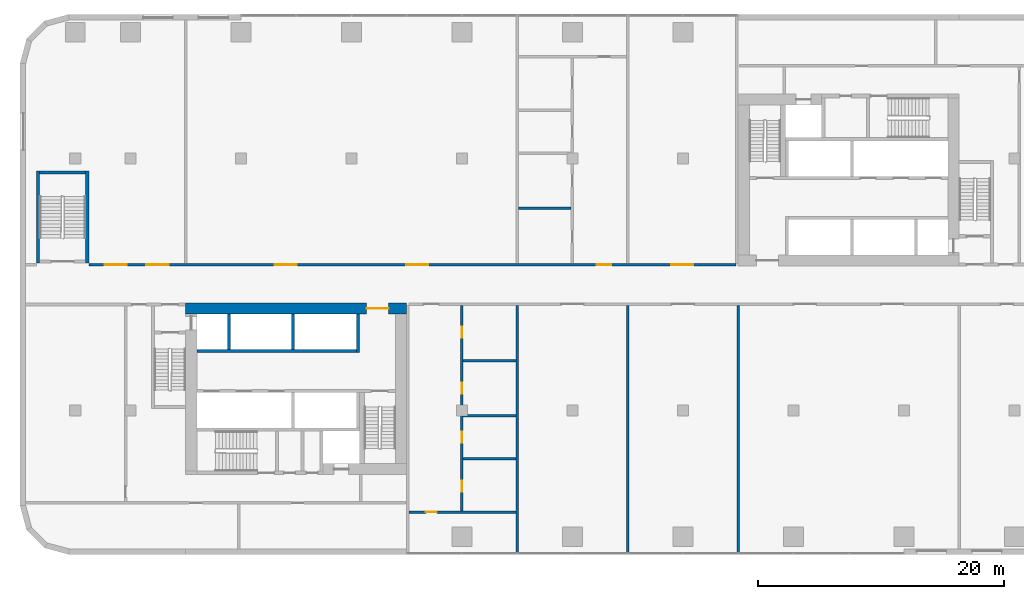
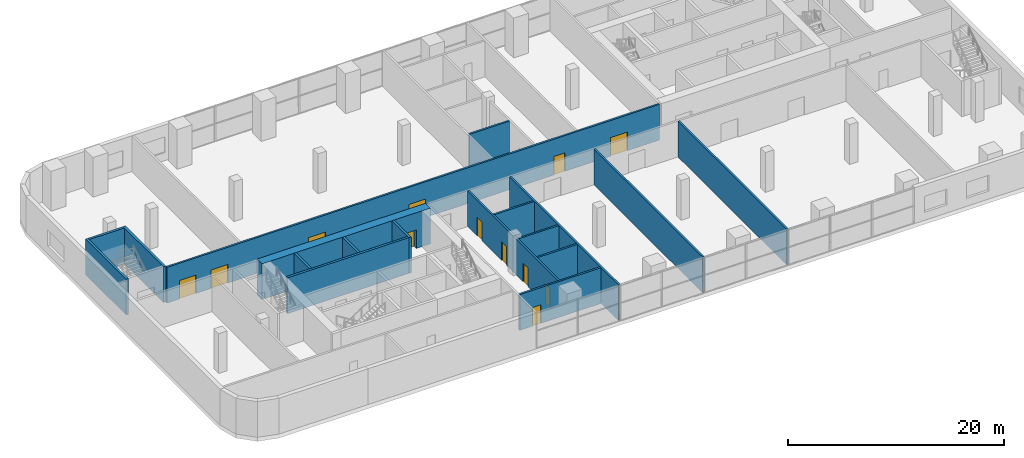
# One storey, part 8 of 19: 18 walls, 12 doors, 12 openings.
"""IFC4 building model written with IfcOpenShell, lengths in metres."""

import ifcopenshell
import ifcopenshell.guid

model = None  # the IFC model being written
_history = None  # IfcOwnerHistory: only IFC2X3 demands one
_inside = {}  # id of a spatial element -> (the spatial element, [elements in it])
_under = {}  # id of a project, library or spatial element -> (it, [spatial elements below it])
_declared = {}  # id of a project -> (the project, [libraries it declares])
_typed = {}  # id of a type object -> (the type object, [elements of that type])
_made_of = {}  # id of a material, layer set ... -> (it, [elements and type objects made of it])


def new_model(schema):
    """Start an empty IFC model of exactly this schema.

    Asked for "IFC4X3", IfcOpenShell would pick the latest addendum, in which some entities
    have other attributes; the version numbers below select the first issue.
    IFC2X3 requires an IfcOwnerHistory on every rooted entity: one is made here for all.
    """
    global model, _history
    if schema == "IFC4X3":
        model = ifcopenshell.file(schema_version=(4, 3, 0, 0))
    else:
        model = ifcopenshell.file(schema=schema)
    _inside.clear()
    _under.clear()
    _declared.clear()
    _typed.clear()
    _made_of.clear()
    _history = None
    if model.schema == "IFC2X3":
        org = make("IfcOrganization", Name="unknown")
        user = make(
            "IfcPersonAndOrganization",
            ThePerson=make("IfcPerson", FamilyName="unknown"),
            TheOrganization=org,
        )
        app = make(
            "IfcApplication",
            ApplicationDeveloper=org,
            Version="unknown",
            ApplicationFullName="unknown",
            ApplicationIdentifier="unknown",
        )
        _history = make(
            "IfcOwnerHistory",
            OwningUser=user,
            OwningApplication=app,
            ChangeAction="ADDED",
            CreationDate=0,
        )
    return model


def make(cls, **values):
    """One entity of the class cls with the attributes given. An attribute that is None is left unset."""
    return model.create_entity(
        cls, **{name: value for name, value in values.items() if value is not None}
    )


def rooted(cls, **values):
    """An entity with a GlobalId (a new one), such as an element, a storey or a relation."""
    return make(cls, GlobalId=ifcopenshell.guid.new(), OwnerHistory=_history, **values)


def si_unit(unit_type, name, prefix=None):
    """IfcSIUnit, for example si_unit("LENGTHUNIT", "METRE", prefix="MILLI")."""
    return make("IfcSIUnit", UnitType=unit_type, Prefix=prefix, Name=name)


def assignment(units):
    """IfcUnitAssignment: the units of a project."""
    return None if units is None else make("IfcUnitAssignment", Units=units)


def point(xyz):
    """IfcCartesianPoint."""
    return None if xyz is None else make("IfcCartesianPoint", Coordinates=xyz)


def direction(xyz):
    """IfcDirection."""
    return None if xyz is None else make("IfcDirection", DirectionRatios=xyz)


def frame(location, z_axis=None, x_axis=None):
    """IfcAxis2Placement3D, a coordinate frame: its origin and axes. An axis left out is left unset."""
    return make(
        "IfcAxis2Placement3D",
        Location=point(location),
        Axis=direction(z_axis),
        RefDirection=direction(x_axis),
    )


def frame_2d(location, x_axis=None):
    """IfcAxis2Placement2D, a coordinate frame in the plane: its origin and x axis."""
    return make(
        "IfcAxis2Placement2D", Location=point(location), RefDirection=direction(x_axis)
    )


def origin():
    """The frame at (0, 0, 0) with its axes left unset."""
    return frame((0.0, 0.0, 0.0))


def place(relative_to, where):
    """IfcLocalPlacement: puts the frame where relative to a parent placement (None: the world)."""
    return make(
        "IfcLocalPlacement", PlacementRelTo=relative_to, RelativePlacement=where
    )


def context(
    kind, dimensions, precision=None, world=None, true_north=None, identifier=None
):
    """IfcGeometricRepresentationContext, for example the 3D "Model" context."""
    return make(
        "IfcGeometricRepresentationContext",
        ContextIdentifier=identifier,
        ContextType=kind,
        CoordinateSpaceDimension=dimensions,
        Precision=precision,
        WorldCoordinateSystem=world,
        TrueNorth=true_north,
    )


def subcontext(parent, identifier, kind, view, scale=None):
    """IfcGeometricRepresentationSubContext, for example "Body" below "Model"."""
    return make(
        "IfcGeometricRepresentationSubContext",
        ContextIdentifier=identifier,
        ContextType=kind,
        ParentContext=parent,
        TargetScale=scale,
        TargetView=view,
    )


def project(units=None, contexts=None):
    """IfcProject with its units and contexts."""
    return rooted(
        "IfcProject",
        Name="project",
        RepresentationContexts=contexts,
        UnitsInContext=assignment(units),
    )


def spatial(cls, under=None, at=None, **own):
    """A site, building, storey or space (cls), placed at a placement, below another one or the project."""
    s = rooted(cls, ObjectPlacement=at, **own)
    if under is not None:
        _under.setdefault(under.id(), (under, []))[1].append(s)
    return s


def profile(cls, at=None, kind="AREA", **sizes):
    """A parametric profile (cls). Its sizes go by their IFC names, for example OverallWidth=200.0."""
    return make(cls, ProfileType=kind, Position=at, **sizes)


def rectangle(**sizes):
    """IfcRectangleProfileDef."""
    return profile("IfcRectangleProfileDef", **sizes)


def extrude(swept, where, along, depth):
    """IfcExtrudedAreaSolid: the profile swept, set in the frame where, extruded along a direction by depth."""
    return make(
        "IfcExtrudedAreaSolid",
        SweptArea=swept,
        Position=where,
        ExtrudedDirection=direction(along),
        Depth=depth,
    )


def shape(context_of_items, identifier, shape_type, items):
    """IfcShapeRepresentation: the items that make up one representation, for example the "Body"."""
    return make(
        "IfcShapeRepresentation",
        ContextOfItems=context_of_items,
        RepresentationIdentifier=identifier,
        RepresentationType=shape_type,
        Items=items,
    )


def material(Name=None, Category=None):
    """IfcMaterial."""
    return make("IfcMaterial", Name=Name, Category=Category)


def layer(
    of_material, thickness, ventilated=None, Name=None, Category=None, Priority=None
):
    """IfcMaterialLayer: one layer of a wall or slab, of a material (None: an air gap)."""
    return make(
        "IfcMaterialLayer",
        Material=of_material,
        LayerThickness=thickness,
        IsVentilated=ventilated,
        Name=Name,
        Category=Category,
        Priority=Priority,
    )


def layer_set(layers, Name=None):
    """IfcMaterialLayerSet."""
    return make("IfcMaterialLayerSet", MaterialLayers=layers, LayerSetName=Name)


def made_of(thing, what):
    """Note that an element or type object is made of a material, layer set ...; save() writes the relation."""
    if what is not None:
        _made_of.setdefault(what.id(), (what, []))[1].append(thing)
    return thing


def type_object(cls, material=None, **own):
    """A type object (cls), such as IfcWallType, which elements share."""
    return made_of(rooted(cls, **own), material)


def element(
    cls,
    number,
    at=None,
    inside=None,
    cuts=None,
    type_object=None,
    material=None,
    context=None,
    identifier="Body",
    shape_type=None,
    held_by="IfcProductDefinitionShape",
    body=None,
    shapes=None,
    **own,
):
    """One element of the class cls, such as IfcWall. Its Tag is "e" and its number.

    at: its placement. inside: the storey or other place that contains it. cuts: it is an
    opening in that element (IfcRelVoidsElement). A single representation is given by context,
    identifier, shape_type and body (its items); several are given by shapes. held_by: the class
    of the entity that holds the representations. save() writes the other relations.
    """
    e = rooted(cls, Tag="e%d" % number, ObjectPlacement=at, **own)
    if body is not None:
        shapes = [shape(context, identifier, shape_type, body)]
    if shapes is not None:
        e.Representation = make(held_by, Representations=shapes)
    if inside is not None:
        _inside.setdefault(inside.id(), (inside, []))[1].append(e)
    if cuts is not None:
        rooted(
            "IfcRelVoidsElement", RelatingBuildingElement=cuts, RelatedOpeningElement=e
        )
    if type_object is not None:
        _typed.setdefault(type_object.id(), (type_object, []))[1].append(e)
    return made_of(e, material)


def fill(opening, filler):
    """IfcRelFillsElement: the door or window that sits in an opening."""
    return rooted(
        "IfcRelFillsElement",
        RelatingOpeningElement=opening,
        RelatedBuildingElement=filler,
    )


def aggregate(whole, parts):
    """IfcRelAggregates: a whole, such as a stair, and the parts it consists of."""
    return rooted("IfcRelAggregates", RelatingObject=whole, RelatedObjects=parts)


def save(model, path):
    """Write the relations noted so far, then the file.

    IfcRelAggregates (storeys below a building ...), IfcRelContainedInSpatialStructure (elements
    in a storey), IfcRelDefinesByType, IfcRelAssociatesMaterial and IfcRelDeclares: one each for
    every whole, place, type object, material and project.
    """
    for whole, parts in _under.values():
        aggregate(whole, parts)
    for where, things in _inside.values():
        rooted(
            "IfcRelContainedInSpatialStructure",
            RelatedElements=things,
            RelatingStructure=where,
        )
    for kind, things in _typed.values():
        rooted("IfcRelDefinesByType", RelatedObjects=things, RelatingType=kind)
    for what, things in _made_of.values():
        rooted("IfcRelAssociatesMaterial", RelatedObjects=things, RelatingMaterial=what)
    for by, libraries in _declared.values():
        rooted("IfcRelDeclares", RelatingContext=by, RelatedDefinitions=libraries)
    model.write(path)


model = new_model("IFC4")

# Units and contexts
model_context = context("Model", 3, precision=1e-05, world=origin(), true_north=direction((0.0, 1.0)))
body_context = subcontext(model_context, "Body", "Model", "MODEL_VIEW")
ifc_project = project(units=[si_unit("LENGTHUNIT", "METRE"), si_unit("AREAUNIT", "SQUARE_METRE"), si_unit("VOLUMEUNIT", "CUBIC_METRE"), si_unit("PLANEANGLEUNIT", "RADIAN"), si_unit("MASSUNIT", "GRAM", prefix="KILO")], contexts=[model_context])

# Site, building, storey
site_placement = place(None, origin())
site = spatial("IfcSite", under=ifc_project, at=site_placement, CompositionType="ELEMENT")
building_placement = place(site_placement, origin())
building = spatial("IfcBuilding", under=site, at=building_placement, Name="Kajstack Hotel Tower", CompositionType="ELEMENT")
storey_placement = place(building_placement, frame((0.0, 0.0, 33.5)))
storey = spatial("IfcBuildingStorey", under=building, at=storey_placement, Name="L05", CompositionType="ELEMENT", Elevation=33.5)

# Wall, opening, door
ifc_material_1 = material(Name="Concrete C60/75", Category="concrete")
ifc_layer_1 = layer(ifc_material_1, 0.89990234375)
ifc_layer_set_1 = layer_set([ifc_layer_1], Name="Core wall 900")
wall_type_1 = type_object("IfcWallType", Name="Core wall 900", PredefinedType="SHEAR", material=ifc_layer_set_1)
wall_1_placement = place(storey_placement, frame((-31.5, -1.949951171875, 0.0), z_axis=(0.0, 0.0, 1.0), x_axis=(1.0, 0.0, 0.0)))
wall_1 = element("IfcWall", 1, at=wall_1_placement, inside=storey, type_object=wall_type_1, Name="Core wall W RN", PredefinedType="SHEAR", context=body_context, shape_type="SweptSolid", body=[
    extrude(rectangle(XDim=18.0, YDim=0.89990234375, at=frame_2d((9.0, 0.0))), origin(), (0.0, 0.0, 1.0), 4.050048828125),
])
opening_1_placement = place(wall_1_placement, frame((14.72509765625, 0.0, 0.0)))
opening_1 = element("IfcOpeningElement", 2, at=opening_1_placement, cuts=wall_1, Name="Opening 05W06", PredefinedType="OPENING", context=body_context, shape_type="SweptSolid", body=[
    extrude(rectangle(XDim=1.800048828125, YDim=2.10009765625, at=frame_2d((0.89990234375, 1.050048828125))), frame((0.0, 0.4599609375, 0.0), z_axis=(0.0, -1.0, 0.0), x_axis=(1.0, 0.0, 0.0)), (0.0, 0.0, 1.0), 0.919921875),
])
ifc_material_2 = material(Name="Glazed steel frame, fire-rated glass", Category="steel")
door_type_1 = type_object("IfcDoorType", Name="Lobby double door 1800", OperationType="DOUBLE_DOOR_DOUBLE_SWING", PredefinedType="DOOR", material=ifc_material_2)
door_1_placement = place(opening_1_placement, origin())
door_1 = element("IfcDoor", 3, at=door_1_placement, inside=storey, type_object=door_type_1, Name="Door 05W06", OperationType="DOUBLE_DOOR_DOUBLE_SWING", OverallHeight=2.10009765625, OverallWidth=1.800048828125, PredefinedType="DOOR", context=body_context, shape_type="SweptSolid", body=[
    extrude(rectangle(XDim=1.800048828125, YDim=2.10009765625, at=frame_2d((0.89990234375, 1.050048828125))), frame((0.0, 0.02490234375, 0.0), z_axis=(0.0, -1.0, 0.0), x_axis=(1.0, 0.0, 0.0)), (0.0, 0.0, 1.0), 0.050048828125),
])
fill(opening_1, door_1)

# Walls
ifc_material_3 = material(Name="Concrete C50/60", Category="concrete")
ifc_layer_2 = layer(ifc_material_3, 0.300048828125)
ifc_layer_set_2 = layer_set([ifc_layer_2], Name="Hoistway divider wall 300")
wall_type_2 = type_object("IfcWallType", Name="Hoistway divider wall 300", PredefinedType="SHEAR", material=ifc_layer_set_2)
wall_2_placement = place(storey_placement, frame((-22.77490234375, -5.300048828125, 0.0), z_axis=(0.0, 0.0, 1.0), x_axis=(0.0, 1.0, 0.0)))
element("IfcWall", 4, at=wall_2_placement, inside=storey, type_object=wall_type_2, Name="Core wall W AP2", PredefinedType="SHEAR", context=body_context, shape_type="SweptSolid", body=[
    extrude(rectangle(XDim=2.900146484375, YDim=0.25, at=frame_2d((1.4501953125, 0.0))), origin(), (0.0, 0.0, 1.0), 4.050048828125),
])
ifc_material_4 = material(Name="Gypsum board on steel studs, mineral wool", Category="steel")
ifc_layer_3 = layer(ifc_material_4, 0.199951171875)
ifc_layer_set_3 = layer_set([ifc_layer_3], Name="Public partition 200")
wall_type_3 = type_object("IfcWallType", Name="Public partition 200", PredefinedType="PARTITIONING", material=ifc_layer_set_3)
wall_3_placement = place(storey_placement, frame((-4.39990234375, 6.199951171875, 0.0), z_axis=(0.0, 0.0, 1.0), x_axis=(1.0, 0.0, 0.0)))
element("IfcWall", 5, at=wall_3_placement, inside=storey, type_object=wall_type_3, Name="Partition C1wP0", PredefinedType="PARTITIONING", context=body_context, shape_type="SweptSolid", body=[
    extrude(rectangle(XDim=4.2998046875, YDim=0.199951171875, at=frame_2d((2.14990234375, 0.0))), origin(), (0.0, 0.0, 1.0), 4.050048828125),
])

# Wall, openings, doors
wall_4_placement = place(storey_placement, frame((-39.39990234375, 1.60009765625, 0.0), z_axis=(0.0, 0.0, 1.0), x_axis=(1.0, 0.0, 0.0)))
wall_4 = element("IfcWall", 6, at=wall_4_placement, inside=storey, type_object=wall_type_3, Name="Partition FW", PredefinedType="PARTITIONING", context=body_context, shape_type="SweptSolid", body=[
    extrude(rectangle(XDim=52.699951171875, YDim=0.199951171875, at=frame_2d((26.35009765625, 0.0))), origin(), (0.0, 0.0, 1.0), 4.050048828125),
])
opening_2_placement = place(wall_4_placement, frame((47.449951171875, 0.0, 0.0)))
opening_2 = element("IfcOpeningElement", 7, at=opening_2_placement, cuts=wall_4, Name="Opening 05P01", PredefinedType="OPENING", context=body_context, shape_type="SweptSolid", body=[
    extrude(rectangle(XDim=1.800048828125, YDim=2.10009765625, at=frame_2d((0.89990234375, 1.050048828125))), frame((0.0, 0.10986328125, 0.0), z_axis=(0.0, -1.0, 0.0), x_axis=(1.0, 0.0, 0.0)), (0.0, 0.0, 1.0), 0.219970703125),
])
opening_3_placement = place(wall_4_placement, frame((41.375, 0.0, 0.0)))
opening_3 = element("IfcOpeningElement", 8, at=opening_3_placement, cuts=wall_4, Name="Opening 05P02", PredefinedType="OPENING", context=body_context, shape_type="SweptSolid", body=[
    extrude(rectangle(XDim=1.199951171875, YDim=2.10009765625, at=frame_2d((0.60009765625, 1.050048828125))), frame((0.0, 0.10986328125, 0.0), z_axis=(0.0, -1.0, 0.0), x_axis=(1.0, 0.0, 0.0)), (0.0, 0.0, 1.0), 0.219970703125),
])
opening_4_placement = place(wall_4_placement, frame((25.860107421875, 0.0, 0.0)))
opening_4 = element("IfcOpeningElement", 9, at=opening_4_placement, cuts=wall_4, Name="Opening 05P08", PredefinedType="OPENING", context=body_context, shape_type="SweptSolid", body=[
    extrude(rectangle(XDim=1.800048828125, YDim=2.10009765625, at=frame_2d((0.89990234375, 1.050048828125))), frame((0.0, 0.10986328125, 0.0), z_axis=(0.0, -1.0, 0.0), x_axis=(1.0, 0.0, 0.0)), (0.0, 0.0, 1.0), 0.219970703125),
])
opening_5_placement = place(wall_4_placement, frame((15.139892578125, 0.0, 0.0)))
opening_5 = element("IfcOpeningElement", 10, at=opening_5_placement, cuts=wall_4, Name="Opening 05P09", PredefinedType="OPENING", context=body_context, shape_type="SweptSolid", body=[
    extrude(rectangle(XDim=1.800048828125, YDim=2.10009765625, at=frame_2d((0.89990234375, 1.050048828125))), frame((0.0, 0.10986328125, 0.0), z_axis=(0.0, -1.0, 0.0), x_axis=(1.0, 0.0, 0.0)), (0.0, 0.0, 1.0), 0.219970703125),
])
opening_6_placement = place(wall_4_placement, frame((4.699951171875, 0.0, 0.0)))
opening_6 = element("IfcOpeningElement", 11, at=opening_6_placement, cuts=wall_4, Name="Opening 05P10", PredefinedType="OPENING", context=body_context, shape_type="SweptSolid", body=[
    extrude(rectangle(XDim=1.800048828125, YDim=2.10009765625, at=frame_2d((0.89990234375, 1.050048828125))), frame((0.0, 0.10986328125, 0.0), z_axis=(0.0, -1.0, 0.0), x_axis=(1.0, 0.0, 0.0)), (0.0, 0.0, 1.0), 0.219970703125),
])
opening_7_placement = place(wall_4_placement, frame((1.300048828125, 0.0, 0.0)))
opening_7 = element("IfcOpeningElement", 12, at=opening_7_placement, cuts=wall_4, Name="Opening 05P11", PredefinedType="OPENING", context=body_context, shape_type="SweptSolid", body=[
    extrude(rectangle(XDim=1.800048828125, YDim=2.10009765625, at=frame_2d((0.89990234375, 1.050048828125))), frame((0.0, 0.10986328125, 0.0), z_axis=(0.0, -1.0, 0.0), x_axis=(1.0, 0.0, 0.0)), (0.0, 0.0, 1.0), 0.219970703125),
])
ifc_material_5 = material(Name="Timber leaf, fire-rated", Category="wood")
door_type_2 = type_object("IfcDoorType", Name="Public corridor door 1200", OperationType="SINGLE_SWING_LEFT", PredefinedType="DOOR", material=ifc_material_5)
door_2_placement = place(opening_3_placement, origin())
door_2 = element("IfcDoor", 13, at=door_2_placement, inside=storey, type_object=door_type_2, Name="Door 05P02", OperationType="SINGLE_SWING_LEFT", OverallHeight=2.10009765625, OverallWidth=1.199951171875, PredefinedType="DOOR", context=body_context, shape_type="SweptSolid", body=[
    extrude(rectangle(XDim=1.199951171875, YDim=2.10009765625, at=frame_2d((0.60009765625, 1.050048828125))), frame((0.0, 0.02490234375, 0.0), z_axis=(0.0, -1.0, 0.0), x_axis=(1.0, 0.0, 0.0)), (0.0, 0.0, 1.0), 0.050048828125),
])
fill(opening_3, door_2)
ifc_material_6 = material(Name="Glazed timber frame, fire-rated glass", Category="wood")
door_type_3 = type_object("IfcDoorType", Name="Public double door 1800", OperationType="DOUBLE_DOOR_DOUBLE_SWING", PredefinedType="DOOR", material=ifc_material_6)
door_3_placement = place(opening_2_placement, origin())
door_3 = element("IfcDoor", 14, at=door_3_placement, inside=storey, type_object=door_type_3, Name="Door 05P01", OperationType="DOUBLE_DOOR_DOUBLE_SWING", OverallHeight=2.10009765625, OverallWidth=1.800048828125, PredefinedType="DOOR", context=body_context, shape_type="SweptSolid", body=[
    extrude(rectangle(XDim=1.800048828125, YDim=2.10009765625, at=frame_2d((0.89990234375, 1.050048828125))), frame((0.0, 0.02490234375, 0.0), z_axis=(0.0, -1.0, 0.0), x_axis=(1.0, 0.0, 0.0)), (0.0, 0.0, 1.0), 0.050048828125),
])
fill(opening_2, door_3)
door_4_placement = place(opening_4_placement, origin())
door_4 = element("IfcDoor", 15, at=door_4_placement, inside=storey, type_object=door_type_3, Name="Door 05P08", OperationType="DOUBLE_DOOR_DOUBLE_SWING", OverallHeight=2.10009765625, OverallWidth=1.800048828125, PredefinedType="DOOR", context=body_context, shape_type="SweptSolid", body=[
    extrude(rectangle(XDim=1.800048828125, YDim=2.10009765625, at=frame_2d((0.89990234375, 1.050048828125))), frame((0.0, 0.02490234375, 0.0), z_axis=(0.0, -1.0, 0.0), x_axis=(1.0, 0.0, 0.0)), (0.0, 0.0, 1.0), 0.050048828125),
])
fill(opening_4, door_4)
door_5_placement = place(opening_5_placement, origin())
door_5 = element("IfcDoor", 16, at=door_5_placement, inside=storey, type_object=door_type_3, Name="Door 05P09", OperationType="DOUBLE_DOOR_DOUBLE_SWING", OverallHeight=2.10009765625, OverallWidth=1.800048828125, PredefinedType="DOOR", context=body_context, shape_type="SweptSolid", body=[
    extrude(rectangle(XDim=1.800048828125, YDim=2.10009765625, at=frame_2d((0.89990234375, 1.050048828125))), frame((0.0, 0.02490234375, 0.0), z_axis=(0.0, -1.0, 0.0), x_axis=(1.0, 0.0, 0.0)), (0.0, 0.0, 1.0), 0.050048828125),
])
fill(opening_5, door_5)
door_6_placement = place(opening_6_placement, origin())
door_6 = element("IfcDoor", 17, at=door_6_placement, inside=storey, type_object=door_type_3, Name="Door 05P10", OperationType="DOUBLE_DOOR_DOUBLE_SWING", OverallHeight=2.10009765625, OverallWidth=1.800048828125, PredefinedType="DOOR", context=body_context, shape_type="SweptSolid", body=[
    extrude(rectangle(XDim=1.800048828125, YDim=2.10009765625, at=frame_2d((0.89990234375, 1.050048828125))), frame((0.0, 0.02490234375, 0.0), z_axis=(0.0, -1.0, 0.0), x_axis=(1.0, 0.0, 0.0)), (0.0, 0.0, 1.0), 0.050048828125),
])
fill(opening_6, door_6)
door_7_placement = place(opening_7_placement, origin())
door_7 = element("IfcDoor", 18, at=door_7_placement, inside=storey, type_object=door_type_3, Name="Door 05P11", OperationType="DOUBLE_DOOR_DOUBLE_SWING", OverallHeight=2.10009765625, OverallWidth=1.800048828125, PredefinedType="DOOR", context=body_context, shape_type="SweptSolid", body=[
    extrude(rectangle(XDim=1.800048828125, YDim=2.10009765625, at=frame_2d((0.89990234375, 1.050048828125))), frame((0.0, 0.02490234375, 0.0), z_axis=(0.0, -1.0, 0.0), x_axis=(1.0, 0.0, 0.0)), (0.0, 0.0, 1.0), 0.050048828125),
])
fill(opening_7, door_7)

wall_5_placement = place(storey_placement, frame((-9.0, -18.449951171875, 0.0), z_axis=(0.0, 0.0, 1.0), x_axis=(0.0, 1.0, 0.0)))
wall_5 = element("IfcWall", 19, at=wall_5_placement, inside=storey, type_object=wall_type_3, Name="Partition SC0CW", PredefinedType="PARTITIONING", context=body_context, shape_type="SweptSolid", body=[
    extrude(rectangle(XDim=16.75, YDim=0.199951171875, at=frame_2d((8.375, 0.0))), origin(), (0.0, 0.0, 1.0), 4.050048828125),
])
opening_8_placement = place(wall_5_placement, frame((14.10009765625, 0.0, 0.0)))
opening_8 = element("IfcOpeningElement", 20, at=opening_8_placement, cuts=wall_5, Name="Opening 05P13", PredefinedType="OPENING", context=body_context, shape_type="SweptSolid", body=[
    extrude(rectangle(XDim=0.89990234375, YDim=2.10009765625, at=frame_2d((0.449951171875, 1.050048828125))), frame((0.0, 0.10986328125, 0.0), z_axis=(0.0, -1.0, 0.0), x_axis=(1.0, 0.0, 0.0)), (0.0, 0.0, 1.0), 0.219970703125),
])
opening_9_placement = place(wall_5_placement, frame((9.550048828125, 0.0, 0.0)))
opening_9 = element("IfcOpeningElement", 21, at=opening_9_placement, cuts=wall_5, Name="Opening 05P14", PredefinedType="OPENING", context=body_context, shape_type="SweptSolid", body=[
    extrude(rectangle(XDim=0.89990234375, YDim=2.10009765625, at=frame_2d((0.449951171875, 1.050048828125))), frame((0.0, 0.10986328125, 0.0), z_axis=(0.0, -1.0, 0.0), x_axis=(1.0, 0.0, 0.0)), (0.0, 0.0, 1.0), 0.219970703125),
])
opening_10_placement = place(wall_5_placement, frame((5.550048828125, 0.0, 0.0)))
opening_10 = element("IfcOpeningElement", 22, at=opening_10_placement, cuts=wall_5, Name="Opening 05P15", PredefinedType="OPENING", context=body_context, shape_type="SweptSolid", body=[
    extrude(rectangle(XDim=0.89990234375, YDim=2.10009765625, at=frame_2d((0.449951171875, 1.050048828125))), frame((0.0, 0.10986328125, 0.0), z_axis=(0.0, -1.0, 0.0), x_axis=(1.0, 0.0, 0.0)), (0.0, 0.0, 1.0), 0.219970703125),
])
opening_11_placement = place(wall_5_placement, frame((1.574951171875, 0.0, 0.0)))
opening_11 = element("IfcOpeningElement", 23, at=opening_11_placement, cuts=wall_5, Name="Opening 05P16", PredefinedType="OPENING", context=body_context, shape_type="SweptSolid", body=[
    extrude(rectangle(XDim=0.89990234375, YDim=2.10009765625, at=frame_2d((0.449951171875, 1.050048828125))), frame((0.0, 0.10986328125, 0.0), z_axis=(0.0, -1.0, 0.0), x_axis=(1.0, 0.0, 0.0)), (0.0, 0.0, 1.0), 0.219970703125),
])
ifc_material_7 = material(Name="Timber leaf", Category="wood")
door_type_4 = type_object("IfcDoorType", Name="Public room door 900", OperationType="SINGLE_SWING_LEFT", PredefinedType="DOOR", material=ifc_material_7)
door_8_placement = place(opening_8_placement, origin())
door_8 = element("IfcDoor", 24, at=door_8_placement, inside=storey, type_object=door_type_4, Name="Door 05P13", OperationType="SINGLE_SWING_RIGHT", OverallHeight=2.10009765625, OverallWidth=0.89990234375, PredefinedType="DOOR", context=body_context, shape_type="SweptSolid", body=[
    extrude(rectangle(XDim=0.89990234375, YDim=2.10009765625, at=frame_2d((0.449951171875, 1.050048828125))), frame((0.0, 0.02490234375, 0.0), z_axis=(0.0, -1.0, 0.0), x_axis=(1.0, 0.0, 0.0)), (0.0, 0.0, 1.0), 0.050048828125),
])
fill(opening_8, door_8)
door_9_placement = place(opening_9_placement, origin())
door_9 = element("IfcDoor", 25, at=door_9_placement, inside=storey, type_object=door_type_4, Name="Door 05P14", OperationType="SINGLE_SWING_RIGHT", OverallHeight=2.10009765625, OverallWidth=0.89990234375, PredefinedType="DOOR", context=body_context, shape_type="SweptSolid", body=[
    extrude(rectangle(XDim=0.89990234375, YDim=2.10009765625, at=frame_2d((0.449951171875, 1.050048828125))), frame((0.0, 0.02490234375, 0.0), z_axis=(0.0, -1.0, 0.0), x_axis=(1.0, 0.0, 0.0)), (0.0, 0.0, 1.0), 0.050048828125),
])
fill(opening_9, door_9)
door_10_placement = place(opening_10_placement, origin())
door_10 = element("IfcDoor", 26, at=door_10_placement, inside=storey, type_object=door_type_4, Name="Door 05P15", OperationType="SINGLE_SWING_RIGHT", OverallHeight=2.10009765625, OverallWidth=0.89990234375, PredefinedType="DOOR", context=body_context, shape_type="SweptSolid", body=[
    extrude(rectangle(XDim=0.89990234375, YDim=2.10009765625, at=frame_2d((0.449951171875, 1.050048828125))), frame((0.0, 0.02490234375, 0.0), z_axis=(0.0, -1.0, 0.0), x_axis=(1.0, 0.0, 0.0)), (0.0, 0.0, 1.0), 0.050048828125),
])
fill(opening_10, door_10)
door_11_placement = place(opening_11_placement, origin())
door_11 = element("IfcDoor", 27, at=door_11_placement, inside=storey, type_object=door_type_4, Name="Door 05P16", OperationType="SINGLE_SWING_RIGHT", OverallHeight=2.10009765625, OverallWidth=0.89990234375, PredefinedType="DOOR", context=body_context, shape_type="SweptSolid", body=[
    extrude(rectangle(XDim=0.89990234375, YDim=2.10009765625, at=frame_2d((0.449951171875, 1.050048828125))), frame((0.0, 0.02490234375, 0.0), z_axis=(0.0, -1.0, 0.0), x_axis=(1.0, 0.0, 0.0)), (0.0, 0.0, 1.0), 0.050048828125),
])
fill(opening_11, door_11)

# Walls
for number, where, z_axis, x_axis, name in (
    (28, (-8.89990234375, -6.199951171875, 0.0), (0.0, 0.0, 1.0), (1.0, 0.0, 0.0), "Partition SC0wP0"),
    (29, (-8.89990234375, -10.699951171875, 0.0), (0.0, 0.0, 1.0), (1.0, 0.0, 0.0), "Partition SC0wP1"),
    (30, (-8.89990234375, -14.199951171875, 0.0), (0.0, 0.0, 1.0), (1.0, 0.0, 0.0), "Partition SC0wP2"),
):
    element("IfcWall", number, at=place(storey_placement, frame(where, z_axis=z_axis, x_axis=x_axis)), inside=storey, type_object=wall_type_3, Name=name, PredefinedType="PARTITIONING", context=body_context, shape_type="SweptSolid", body=[
        extrude(rectangle(XDim=4.2998046875, YDim=0.199951171875, at=frame_2d((2.14990234375, 0.0))), origin(), (0.0, 0.0, 1.0), 4.050048828125),
    ])

# Wall, opening, door
wall_6_placement = place(storey_placement, frame((-13.300048828125, -18.550048828125, 0.0), z_axis=(0.0, 0.0, 1.0), x_axis=(1.0, 0.0, 0.0)))
wall_6 = element("IfcWall", 31, at=wall_6_placement, inside=storey, type_object=wall_type_3, Name="Partition SC0BW", PredefinedType="PARTITIONING", context=body_context, shape_type="SweptSolid", body=[
    extrude(rectangle(XDim=8.699951171875, YDim=0.199951171875, at=frame_2d((4.35009765625, 0.0))), origin(), (0.0, 0.0, 1.0), 4.050048828125),
])
opening_12_placement = place(wall_6_placement, frame((1.35009765625, 0.0, 0.0)))
opening_12 = element("IfcOpeningElement", 32, at=opening_12_placement, cuts=wall_6, Name="Opening 05P17", PredefinedType="OPENING", context=body_context, shape_type="SweptSolid", body=[
    extrude(rectangle(XDim=0.89990234375, YDim=2.10009765625, at=frame_2d((0.449951171875, 1.050048828125))), frame((0.0, 0.10986328125, 0.0), z_axis=(0.0, -1.0, 0.0), x_axis=(1.0, 0.0, 0.0)), (0.0, 0.0, 1.0), 0.219970703125),
])
door_12_placement = place(opening_12_placement, origin())
door_12 = element("IfcDoor", 33, at=door_12_placement, inside=storey, type_object=door_type_4, Name="Door 05P17", OperationType="SINGLE_SWING_RIGHT", OverallHeight=2.10009765625, OverallWidth=0.89990234375, PredefinedType="DOOR", context=body_context, shape_type="SweptSolid", body=[
    extrude(rectangle(XDim=0.89990234375, YDim=2.10009765625, at=frame_2d((0.449951171875, 1.050048828125))), frame((0.0, 0.02490234375, 0.0), z_axis=(0.0, -1.0, 0.0), x_axis=(1.0, 0.0, 0.0)), (0.0, 0.0, 1.0), 0.050048828125),
])
fill(opening_12, door_12)

# Walls
for number, where, z_axis, x_axis, name in (
    (34, (-4.5, -21.85009765625, 0.0), (0.0, 0.0, 1.0), (0.0, 1.0, 0.0), "Partition SPX0"),
    (35, (4.5, -21.85009765625, 0.0), (0.0, 0.0, 1.0), (0.0, 1.0, 0.0), "Partition SPX1"),
    (36, (13.5, -21.85009765625, 0.0), (0.0, 0.0, 1.0), (0.0, 1.0, 0.0), "Partition SPX2"),
):
    element("IfcWall", number, at=place(storey_placement, frame(where, z_axis=z_axis, x_axis=x_axis)), inside=storey, type_object=wall_type_3, Name=name, PredefinedType="PARTITIONING", context=body_context, shape_type="SweptSolid", body=[
        extrude(rectangle(XDim=20.150146484375, YDim=0.199951171875, at=frame_2d((10.0751953125, 0.0))), origin(), (0.0, 0.0, 1.0), 4.050048828125),
    ])
ifc_layer_4 = layer(ifc_material_3, 0.25)
ifc_layer_set_4 = layer_set([ifc_layer_4], Name="Shaft wall 250")
wall_type_4 = type_object("IfcWallType", Name="Shaft wall 250", PredefinedType="SHEAR", material=ifc_layer_set_4)
wall_7_placement = place(storey_placement, frame((-30.60009765625, -5.425048828125, 0.0), z_axis=(0.0, 0.0, 1.0), x_axis=(1.0, 0.0, 0.0)))
element("IfcWall", 37, at=wall_7_placement, inside=storey, type_object=wall_type_4, Name="Core wall W FA", PredefinedType="SHEAR", context=body_context, shape_type="SweptSolid", body=[
    extrude(rectangle(XDim=13.0, YDim=0.25, at=frame_2d((6.5, 0.0))), origin(), (0.0, 0.0, 1.0), 4.050048828125),
])
wall_8_placement = place(storey_placement, frame((-17.47509765625, -5.550048828125, 0.0), z_axis=(0.0, 0.0, 1.0), x_axis=(0.0, 1.0, 0.0)))
element("IfcWall", 38, at=wall_8_placement, inside=storey, type_object=wall_type_4, Name="Core wall W AE", PredefinedType="SHEAR", context=body_context, shape_type="SweptSolid", body=[
    extrude(rectangle(XDim=3.150146484375, YDim=0.25, at=frame_2d((1.5751953125, 0.0))), origin(), (0.0, 0.0, 1.0), 4.050048828125),
])
wall_9_placement = place(storey_placement, frame((-27.97509765625, -5.300048828125, 0.0), z_axis=(0.0, 0.0, 1.0), x_axis=(0.0, 1.0, 0.0)))
element("IfcWall", 39, at=wall_9_placement, inside=storey, type_object=wall_type_4, Name="Core wall W AP0", PredefinedType="SHEAR", context=body_context, shape_type="SweptSolid", body=[
    extrude(rectangle(XDim=2.900146484375, YDim=0.25, at=frame_2d((1.4501953125, 0.0))), origin(), (0.0, 0.0, 1.0), 4.050048828125),
])
ifc_material_8 = material(Name="Concrete C40/50", Category="concrete")
ifc_layer_5 = layer(ifc_material_8, 0.25)
ifc_layer_set_5 = layer_set([ifc_layer_5], Name="Stair enclosure wall 250")
wall_type_5 = type_object("IfcWallType", Name="Stair enclosure wall 250", PredefinedType="SHEAR", material=ifc_layer_set_5)
for number, where, z_axis, x_axis, name in (
    (40, (-43.52490234375, 1.75, 0.0), (0.0, 0.0, 1.0), (0.0, 1.0, 0.0), "Stair wall P1 W"),
    (41, (-39.52490234375, 1.75, 0.0), (0.0, 0.0, 1.0), (0.0, 1.0, 0.0), "Stair wall P1 E"),
):
    element("IfcWall", number, at=place(storey_placement, frame(where, z_axis=z_axis, x_axis=x_axis)), inside=storey, type_object=wall_type_5, Name=name, PredefinedType="SHEAR", context=body_context, shape_type="SweptSolid", body=[
        extrude(rectangle(XDim=7.5, YDim=0.25, at=frame_2d((3.75, 0.0))), origin(), (0.0, 0.0, 1.0), 4.050048828125),
    ])
wall_10_placement = place(storey_placement, frame((-43.39990234375, 9.125, 0.0), z_axis=(0.0, 0.0, 1.0), x_axis=(1.0, 0.0, 0.0)))
element("IfcWall", 42, at=wall_10_placement, inside=storey, type_object=wall_type_5, Name="Stair wall P1 F", PredefinedType="SHEAR", context=body_context, shape_type="SweptSolid", body=[
    extrude(rectangle(XDim=3.75, YDim=0.25, at=frame_2d((1.875, 0.0))), origin(), (0.0, 0.0, 1.0), 4.050048828125),
])

save(model, "model.ifc")
